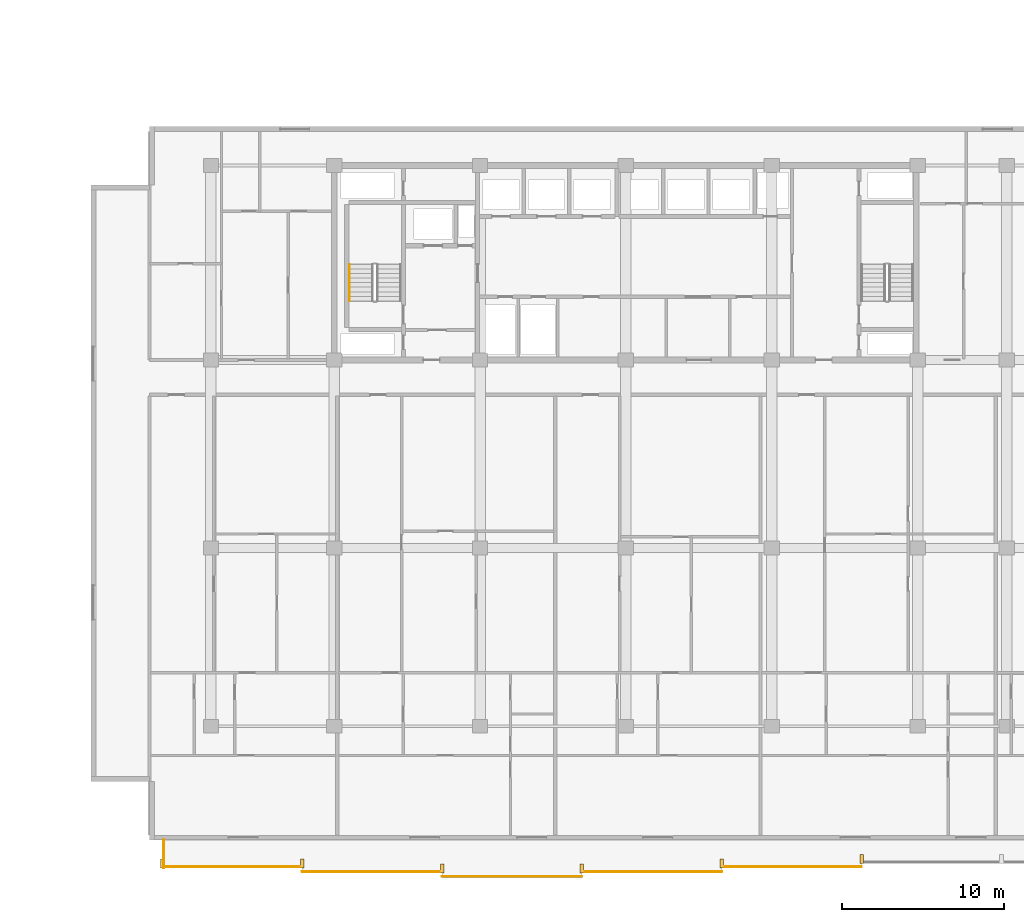
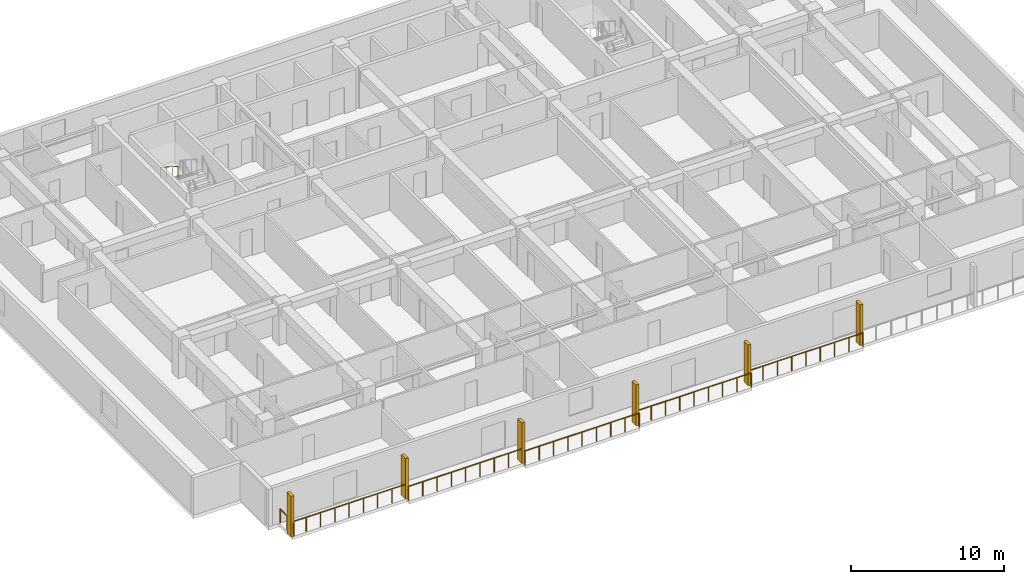
# One storey, part 20 of 24: 7 railings, 6 shading devices.
"""IFC4 building model written with IfcOpenShell, lengths in metres."""

from ifc_helpers import new_model, si_unit, direction, frame, origin, origin_2d, place, context, subcontext, project, spatial, rectangle, circle, extrude, material, type_object, element, save


model = new_model("IFC4")

# Units and contexts
model_context = context("Model", 3, precision=1e-05, world=origin(), true_north=direction((0.0, 1.0)))
body_context = subcontext(model_context, "Body", "Model", "MODEL_VIEW")
ifc_project = project(units=[si_unit("LENGTHUNIT", "METRE"), si_unit("AREAUNIT", "SQUARE_METRE"), si_unit("VOLUMEUNIT", "CUBIC_METRE"), si_unit("PLANEANGLEUNIT", "RADIAN"), si_unit("MASSUNIT", "GRAM", prefix="KILO")], contexts=[model_context])

# Site, building, storey
site_placement = place(None, origin())
site = spatial("IfcSite", under=ifc_project, at=site_placement, CompositionType="ELEMENT")
building_placement = place(site_placement, origin())
building = spatial("IfcBuilding", under=site, at=building_placement, Name="Korimba Cascade Residences", CompositionType="ELEMENT")
storey_placement = place(building_placement, frame((0.0, 0.0, 63.0)))
storey = spatial("IfcBuildingStorey", under=building, at=storey_placement, Name="L17", CompositionType="ELEMENT", Elevation=63.0)

# Railings
ifc_material_1 = material(Name="Laminated Glass and Bronze Balustrade", Category="glass")
railing_type_1 = type_object("IfcRailingType", Name="RLG-LOG-1150", PredefinedType="BALUSTRADE", material=ifc_material_1)
railing_1_placement = place(storey_placement, frame((71.5, -12.8701171875, 0.0)))
element("IfcRailing", 1, at=railing_1_placement, inside=storey, type_object=railing_type_1, Name="L17 Perimeter Guardrail RLG-L17-T2-LOG-01", PredefinedType="BALUSTRADE", context=body_context, shape_type="SweptSolid", body=[
    extrude(circle(Radius=0.02392578125, at=origin_2d()), frame((0.0, 0.0, 1.1259765625), z_axis=(1.0, 0.0, 0.0), x_axis=(0.0, 1.0, 0.0)), (0.0, 0.0, 1.0), 8.628662109375),
    extrude(circle(Radius=0.02099609375, at=origin_2d()), origin(), (0.0, 0.0, 1.0), 1.101806640625),
    extrude(circle(Radius=0.02099609375, at=origin_2d()), frame((1.07861328125, 0.0, 0.0)), (0.0, 0.0, 1.0), 1.101806640625),
    extrude(circle(Radius=0.02099609375, at=origin_2d()), frame((2.1572265625, 0.0, 0.0)), (0.0, 0.0, 1.0), 1.101806640625),
    extrude(circle(Radius=0.02099609375, at=origin_2d()), frame((3.23583984375, 0.0, 0.0)), (0.0, 0.0, 1.0), 1.101806640625),
    extrude(circle(Radius=0.02099609375, at=origin_2d()), frame((4.314453125, 0.0, 0.0)), (0.0, 0.0, 1.0), 1.101806640625),
    extrude(circle(Radius=0.02099609375, at=origin_2d()), frame((5.392822265625, 0.0, 0.0)), (0.0, 0.0, 1.0), 1.101806640625),
    extrude(circle(Radius=0.02099609375, at=origin_2d()), frame((6.471435546875, 0.0, 0.0)), (0.0, 0.0, 1.0), 1.101806640625),
    extrude(circle(Radius=0.02099609375, at=origin_2d()), frame((7.550048828125, 0.0, 0.0)), (0.0, 0.0, 1.0), 1.101806640625),
    extrude(circle(Radius=0.02099609375, at=origin_2d()), frame((8.628662109375, 0.0, 0.0)), (0.0, 0.0, 1.0), 1.101806640625),
])
railing_2_placement = place(storey_placement, frame((80.128662109375, -13.169921875, 0.0)))
element("IfcRailing", 2, at=railing_2_placement, inside=storey, type_object=railing_type_1, Name="L17 Perimeter Guardrail RLG-L17-T2-LOG-02", PredefinedType="BALUSTRADE", context=body_context, shape_type="SweptSolid", body=[
    extrude(circle(Radius=0.02392578125, at=origin_2d()), frame((0.0, 0.0, 1.1259765625), z_axis=(1.0, 0.0, 0.0), x_axis=(0.0, 1.0, 0.0)), (0.0, 0.0, 1.0), 8.62841796875),
    extrude(circle(Radius=0.02099609375, at=origin_2d()), origin(), (0.0, 0.0, 1.0), 1.101806640625),
    extrude(circle(Radius=0.02099609375, at=origin_2d()), frame((1.07861328125, 0.0, 0.0)), (0.0, 0.0, 1.0), 1.101806640625),
    extrude(circle(Radius=0.02099609375, at=origin_2d()), frame((2.1572265625, 0.0, 0.0)), (0.0, 0.0, 1.0), 1.101806640625),
    extrude(circle(Radius=0.02099609375, at=origin_2d()), frame((3.235595703125, 0.0, 0.0)), (0.0, 0.0, 1.0), 1.101806640625),
    extrude(circle(Radius=0.02099609375, at=origin_2d()), frame((4.314208984375, 0.0, 0.0)), (0.0, 0.0, 1.0), 1.101806640625),
    extrude(circle(Radius=0.02099609375, at=origin_2d()), frame((5.392822265625, 0.0, 0.0)), (0.0, 0.0, 1.0), 1.101806640625),
    extrude(circle(Radius=0.02099609375, at=origin_2d()), frame((6.47119140625, 0.0, 0.0)), (0.0, 0.0, 1.0), 1.101806640625),
    extrude(circle(Radius=0.02099609375, at=origin_2d()), frame((7.5498046875, 0.0, 0.0)), (0.0, 0.0, 1.0), 1.101806640625),
    extrude(circle(Radius=0.02099609375, at=origin_2d()), frame((8.62841796875, 0.0, 0.0)), (0.0, 0.0, 1.0), 1.101806640625),
])
for number, where, name in (
    (3, (88.757080078125, -13.469970703125, 0.0), "L17 Perimeter Guardrail RLG-L17-T2-LOG-03"),
    (4, (97.3857421875, -13.169921875, 0.0), "L17 Perimeter Guardrail RLG-L17-T2-LOG-04"),
):
    element("IfcRailing", number, at=place(storey_placement, frame(where)), inside=storey, type_object=railing_type_1, Name=name, PredefinedType="BALUSTRADE", context=body_context, shape_type="SweptSolid", body=[
        extrude(circle(Radius=0.02392578125, at=origin_2d()), frame((0.0, 0.0, 1.1259765625), z_axis=(1.0, 0.0, 0.0), x_axis=(0.0, 1.0, 0.0)), (0.0, 0.0, 1.0), 8.628662109375),
        extrude(circle(Radius=0.02099609375, at=origin_2d()), origin(), (0.0, 0.0, 1.0), 1.101806640625),
        extrude(circle(Radius=0.02099609375, at=origin_2d()), frame((1.07861328125, 0.0, 0.0)), (0.0, 0.0, 1.0), 1.101806640625),
        extrude(circle(Radius=0.02099609375, at=origin_2d()), frame((2.1572265625, 0.0, 0.0)), (0.0, 0.0, 1.0), 1.101806640625),
        extrude(circle(Radius=0.02099609375, at=origin_2d()), frame((3.23583984375, 0.0, 0.0)), (0.0, 0.0, 1.0), 1.101806640625),
        extrude(circle(Radius=0.02099609375, at=origin_2d()), frame((4.314453125, 0.0, 0.0)), (0.0, 0.0, 1.0), 1.101806640625),
        extrude(circle(Radius=0.02099609375, at=origin_2d()), frame((5.392822265625, 0.0, 0.0)), (0.0, 0.0, 1.0), 1.101806640625),
        extrude(circle(Radius=0.02099609375, at=origin_2d()), frame((6.471435546875, 0.0, 0.0)), (0.0, 0.0, 1.0), 1.101806640625),
        extrude(circle(Radius=0.02099609375, at=origin_2d()), frame((7.550048828125, 0.0, 0.0)), (0.0, 0.0, 1.0), 1.101806640625),
        extrude(circle(Radius=0.02099609375, at=origin_2d()), frame((8.628662109375, 0.0, 0.0)), (0.0, 0.0, 1.0), 1.101806640625),
    ])
railing_3_placement = place(storey_placement, frame((106.014404296875, -12.8701171875, 0.0)))
element("IfcRailing", 5, at=railing_3_placement, inside=storey, type_object=railing_type_1, Name="L17 Perimeter Guardrail RLG-L17-T2-LOG-05", PredefinedType="BALUSTRADE", context=body_context, shape_type="SweptSolid", body=[
    extrude(circle(Radius=0.02392578125, at=origin_2d()), frame((0.0, 0.0, 1.1259765625), z_axis=(1.0, 0.0, 0.0), x_axis=(0.0, 1.0, 0.0)), (0.0, 0.0, 1.0), 8.62841796875),
    extrude(circle(Radius=0.02099609375, at=origin_2d()), origin(), (0.0, 0.0, 1.0), 1.101806640625),
    extrude(circle(Radius=0.02099609375, at=origin_2d()), frame((1.07861328125, 0.0, 0.0)), (0.0, 0.0, 1.0), 1.101806640625),
    extrude(circle(Radius=0.02099609375, at=origin_2d()), frame((2.1572265625, 0.0, 0.0)), (0.0, 0.0, 1.0), 1.101806640625),
    extrude(circle(Radius=0.02099609375, at=origin_2d()), frame((3.235595703125, 0.0, 0.0)), (0.0, 0.0, 1.0), 1.101806640625),
    extrude(circle(Radius=0.02099609375, at=origin_2d()), frame((4.314208984375, 0.0, 0.0)), (0.0, 0.0, 1.0), 1.101806640625),
    extrude(circle(Radius=0.02099609375, at=origin_2d()), frame((5.392822265625, 0.0, 0.0)), (0.0, 0.0, 1.0), 1.101806640625),
    extrude(circle(Radius=0.02099609375, at=origin_2d()), frame((6.47119140625, 0.0, 0.0)), (0.0, 0.0, 1.0), 1.101806640625),
    extrude(circle(Radius=0.02099609375, at=origin_2d()), frame((7.5498046875, 0.0, 0.0)), (0.0, 0.0, 1.0), 1.101806640625),
    extrude(circle(Radius=0.02099609375, at=origin_2d()), frame((8.62841796875, 0.0, 0.0)), (0.0, 0.0, 1.0), 1.101806640625),
])
railing_4_placement = place(storey_placement, frame((71.580078125, -11.199951171875, 0.0)))
element("IfcRailing", 6, at=railing_4_placement, inside=storey, type_object=railing_type_1, Name="L17 Perimeter Guardrail RLG-L17-T2-LOG-08", PredefinedType="BALUSTRADE", context=body_context, shape_type="SweptSolid", body=[
    extrude(circle(Radius=0.02392578125, at=origin_2d()), frame((0.0, 0.0, 1.1259765625), z_axis=(0.0, -1.0, 0.0), x_axis=(1.0, 0.0, 0.0)), (0.0, 0.0, 1.0), 1.75),
    extrude(circle(Radius=0.02099609375, at=origin_2d()), origin(), (0.0, 0.0, 1.0), 1.101806640625),
    extrude(circle(Radius=0.02099609375, at=origin_2d()), frame((0.0, -0.875, 0.0)), (0.0, 0.0, 1.0), 1.101806640625),
    extrude(circle(Radius=0.02099609375, at=origin_2d()), frame((0.0, -1.75, 0.0)), (0.0, 0.0, 1.0), 1.101806640625),
])
ifc_material_2 = material(Name="Brushed Stainless Steel Handrail", Category="steel")
railing_type_2 = type_object("IfcRailingType", Name="RLG-ST-HR900", PredefinedType="HANDRAIL", material=ifc_material_2)
railing_5_placement = place(storey_placement, frame((83.050048828125, 24.2900390625, 1.989990234375)))
element("IfcRailing", 7, at=railing_5_placement, inside=storey, type_object=railing_type_2, Name="L17 ST-E1 stair handrail 2", PredefinedType="HANDRAIL", context=body_context, shape_type="SweptSolid", body=[
    extrude(circle(Radius=0.02392578125, at=origin_2d()), frame((0.0, 0.0, 0.8759765625), z_axis=(0.0, -0.840436612492, 0.541909863706), x_axis=(1.0, 0.0, 0.0)), (0.0, 0.0, 1.0), 2.665283203125),
    extrude(circle(Radius=0.02099609375, at=origin_2d()), origin(), (0.0, 0.0, 1.0), 0.851806640625),
    extrude(circle(Radius=0.02099609375, at=origin_2d()), frame((0.0, -0.74658203125, 0.4814453125)), (0.0, 0.0, 1.0), 0.851806640625),
    extrude(circle(Radius=0.02099609375, at=origin_2d()), frame((0.0, -1.493408203125, 0.962890625)), (0.0, 0.0, 1.0), 0.851806640625),
    extrude(circle(Radius=0.02099609375, at=origin_2d()), frame((0.0, -2.239990234375, 1.4443359375)), (0.0, 0.0, 1.0), 0.851806640625),
])

# Shading devices
ifc_material_3 = material(Name="Honed Sandstone Precast Fin", Category="masonry")
shading_device_type = type_object("IfcShadingDeviceType", Name="SHD-FIN-550", PredefinedType="USERDEFINED", material=ifc_material_3)
for number, where, z_axis, x_axis, name in (
    (8, (71.5, -12.675048828125, 0.0), (0.0, 0.0, 1.0), (1.0, 0.0, 0.0), "L17 T2 Warm-Stone Loggia Fin 1"),
    (9, (80.128662109375, -12.675048828125, 0.0), (0.0, 0.0, 1.0), (1.0, 0.0, 0.0), "L17 T2 Warm-Stone Loggia Fin 2"),
    (10, (88.757080078125, -12.97509765625, 0.0), (0.0, 0.0, 1.0), (1.0, 0.0, 0.0), "L17 T2 Warm-Stone Loggia Fin 3"),
    (11, (97.3857421875, -12.97509765625, 0.0), (0.0, 0.0, 1.0), (1.0, 0.0, 0.0), "L17 T2 Warm-Stone Loggia Fin 4"),
    (12, (106.014404296875, -12.675048828125, 0.0), (0.0, 0.0, 1.0), (1.0, 0.0, 0.0), "L17 T2 Warm-Stone Loggia Fin 5"),
    (13, (114.642822265625, -12.375, 0.0), (0.0, 0.0, 1.0), (1.0, 0.0, 0.0), "L17 T2 Warm-Stone Loggia Fin 6"),
):
    element("IfcShadingDevice", number, at=place(storey_placement, frame(where, z_axis=z_axis, x_axis=x_axis)), inside=storey, type_object=shading_device_type, Name=name, ObjectType="FIN", PredefinedType="USERDEFINED", context=body_context, shape_type="SweptSolid", body=[
        extrude(rectangle(XDim=0.219970703125, YDim=0.550048828125, at=origin_2d()), origin(), (0.0, 0.0, 1.0), 3.25),
    ])

save(model, "model.ifc")
